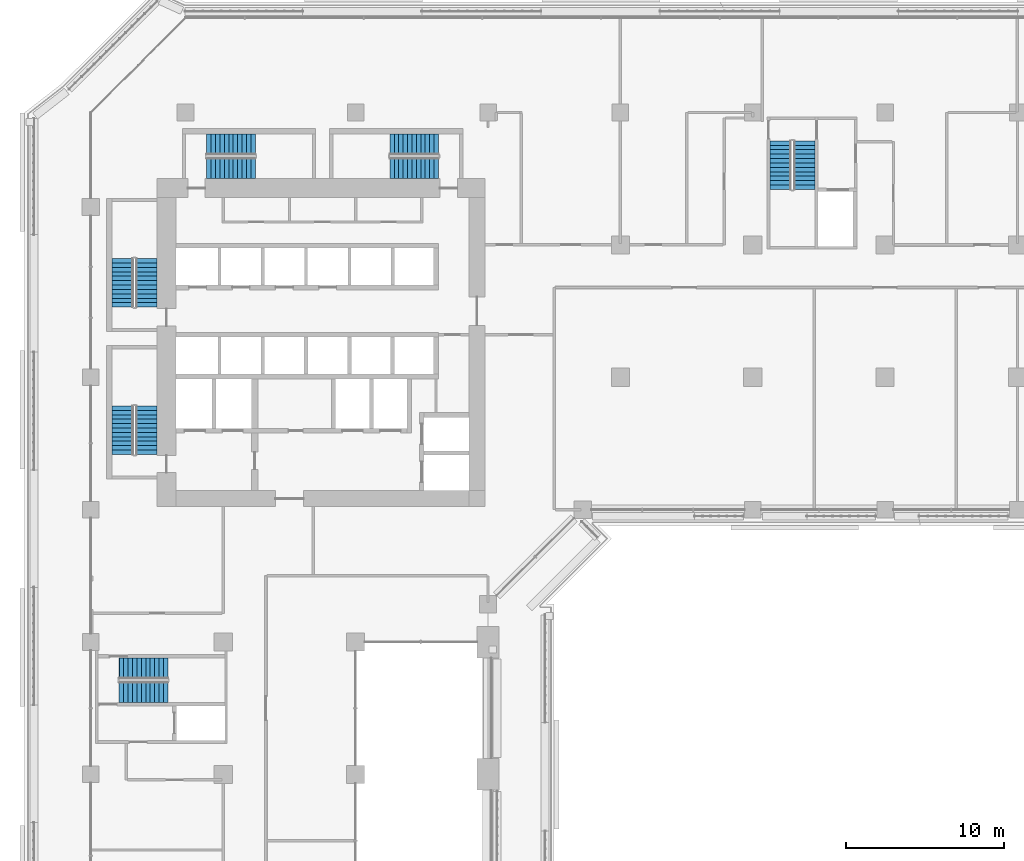
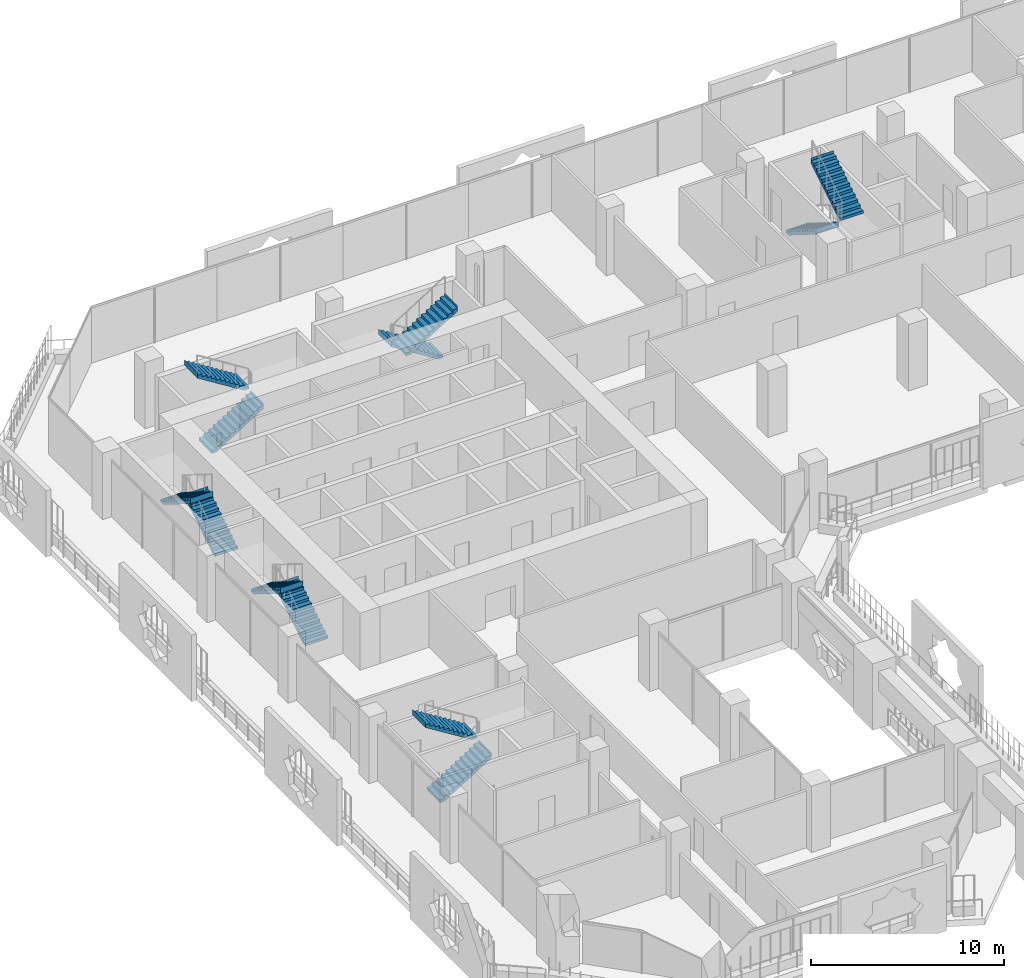
# One storey, part 18 of 27: 12 stair flights, 6 elements without a shape of their own.
"""IFC4 building model written with IfcOpenShell, lengths in metres."""

from ifc_helpers import new_model, si_unit, direction, frame, origin, place, context, subcontext, project, spatial, polyline, outline, extrude, material, type_object, element, aggregate, save


model = new_model("IFC4")

# Units and contexts
model_context = context("Model", 3, precision=1e-05, world=origin(), true_north=direction((0.0, 1.0)))
body_context = subcontext(model_context, "Body", "Model", "MODEL_VIEW")
ifc_project = project(units=[si_unit("LENGTHUNIT", "METRE"), si_unit("AREAUNIT", "SQUARE_METRE"), si_unit("VOLUMEUNIT", "CUBIC_METRE"), si_unit("PLANEANGLEUNIT", "RADIAN"), si_unit("MASSUNIT", "GRAM", prefix="KILO")], contexts=[model_context])

# Site, building, storey
site_placement = place(None, origin())
site = spatial("IfcSite", under=ifc_project, at=site_placement, CompositionType="ELEMENT")
building_placement = place(site_placement, origin())
building = spatial("IfcBuilding", under=site, at=building_placement, Name="Kawkab Arch Medical Tower", CompositionType="ELEMENT")
storey_placement = place(building_placement, frame((0.0, 0.0, 103.0)))
storey = spatial("IfcBuildingStorey", under=building, at=storey_placement, Name="L23", CompositionType="ELEMENT", Elevation=103.0)

# Stair, stair flights
ifc_material_1 = material(Name="Concrete C40/50", Category="concrete")
stair_type = type_object("IfcStairType", Name="Exit stair 1350", PredefinedType="HALF_TURN_STAIR", material=ifc_material_1)
placement = place(storey_placement, origin())
stair_1 = element("IfcStair", 1, at=placement, inside=storey, type_object=stair_type, Name="L23 Exit stair ST1", PredefinedType="HALF_TURN_STAIR")
ifc_material_2 = material(Name="Concrete C40/50", Category="concrete")
stair_flight_type = type_object("IfcStairFlightType", Name="Exit stair flight 1350", PredefinedType="STRAIGHT", material=ifc_material_2)
stair_flight_1_placement = place(storey_placement, frame((3.52490234375, -12.35009765625, 0.0), z_axis=(0.0, 0.0, 1.0), x_axis=(0.0, 1.0, 0.0)))
stair_flight_1 = element("IfcStairFlight", 2, at=stair_flight_1_placement, type_object=stair_flight_type, Name="ST1 flight 1", NumberOfRisers=12, NumberOfTreads=11, PredefinedType="STRAIGHT", RiserHeight=0.175, TreadLength=0.28, context=body_context, shape_type="SweptSolid", body=[
    extrude(outline(polyline([(-0.0029296875, 0.0), (-0.0029296875, 0.175048828125), (0.0, 0.175048828125), (0.280029296875, 0.175048828125), (0.280029296875, 0.35009765625), (0.56005859375, 0.35009765625), (0.56005859375, 0.52490234375), (0.840087890625, 0.52490234375), (0.840087890625, 0.699951171875), (1.1201171875, 0.699951171875), (1.1201171875, 0.875), (1.39990234375, 0.875), (1.39990234375, 1.050048828125), (1.679931640625, 1.050048828125), (1.679931640625, 1.22509765625), (1.9599609375, 1.22509765625), (1.9599609375, 1.39990234375), (2.239990234375, 1.39990234375), (2.239990234375, 1.574951171875), (2.52001953125, 1.574951171875), (2.52001953125, 1.75), (2.800048828125, 1.75), (2.800048828125, 1.925048828125), (3.080078125, 1.925048828125), (3.080078125, 2.10009765625), (3.0830078125, 2.10009765625), (3.0830078125, 1.748291015625), (3.080078125, 1.748291015625), (0.28271484375, 0.0), (-0.0029296875, 0.0)])), frame((0.0, 0.675048828125, 0.0), z_axis=(0.0, -1.0, 0.0), x_axis=(1.0, 0.0, 0.0)), (0.0, 0.0, 1.0), 1.35009765625),
])
stair_flight_2_placement = place(storey_placement, frame((2.02490234375, -9.27001953125, 2.10009765625), z_axis=(0.0, 0.0, 1.0), x_axis=(0.0, -1.0, 0.0)))
stair_flight_2 = element("IfcStairFlight", 3, at=stair_flight_2_placement, type_object=stair_flight_type, Name="ST1 flight 2", NumberOfRisers=12, NumberOfTreads=11, PredefinedType="STRAIGHT", RiserHeight=0.175, TreadLength=0.28, context=body_context, shape_type="SweptSolid", body=[
    extrude(outline(polyline([(-0.0029296875, 0.0), (-0.0029296875, 0.175048828125), (0.0, 0.175048828125), (0.280029296875, 0.175048828125), (0.280029296875, 0.35009765625), (0.56005859375, 0.35009765625), (0.56005859375, 0.52490234375), (0.840087890625, 0.52490234375), (0.840087890625, 0.699951171875), (1.1201171875, 0.699951171875), (1.1201171875, 0.875), (1.39990234375, 0.875), (1.39990234375, 1.050048828125), (1.679931640625, 1.050048828125), (1.679931640625, 1.22509765625), (1.9599609375, 1.22509765625), (1.9599609375, 1.39990234375), (2.239990234375, 1.39990234375), (2.239990234375, 1.574951171875), (2.52001953125, 1.574951171875), (2.52001953125, 1.75), (2.800048828125, 1.75), (2.800048828125, 1.925048828125), (3.080078125, 1.925048828125), (3.080078125, 2.10009765625), (3.0830078125, 2.10009765625), (3.0830078125, 1.748291015625), (3.080078125, 1.748291015625), (0.28271484375, 0.0), (-0.0029296875, 0.0)])), frame((0.0, 0.675048828125, 0.0), z_axis=(0.0, -1.0, 0.0), x_axis=(1.0, 0.0, 0.0)), (0.0, 0.0, 1.0), 1.35009765625),
])
aggregate(stair_1, [stair_flight_1, stair_flight_2])

stair_2 = element("IfcStair", 4, at=placement, inside=storey, type_object=stair_type, Name="L23 Exit stair ST2", PredefinedType="HALF_TURN_STAIR")
stair_flight_3_placement = place(storey_placement, frame((3.52490234375, -21.699951171875, 0.0), z_axis=(0.0, 0.0, 1.0), x_axis=(0.0, 1.0, 0.0)))
stair_flight_3 = element("IfcStairFlight", 5, at=stair_flight_3_placement, type_object=stair_flight_type, Name="ST2 flight 1", NumberOfRisers=12, NumberOfTreads=11, PredefinedType="STRAIGHT", RiserHeight=0.175, TreadLength=0.28, context=body_context, shape_type="SweptSolid", body=[
    extrude(outline(polyline([(-0.0029296875, 0.0), (-0.0029296875, 0.175048828125), (0.0, 0.175048828125), (0.280029296875, 0.175048828125), (0.280029296875, 0.35009765625), (0.56005859375, 0.35009765625), (0.56005859375, 0.52490234375), (0.840087890625, 0.52490234375), (0.840087890625, 0.699951171875), (1.1201171875, 0.699951171875), (1.1201171875, 0.875), (1.39990234375, 0.875), (1.39990234375, 1.050048828125), (1.679931640625, 1.050048828125), (1.679931640625, 1.22509765625), (1.9599609375, 1.22509765625), (1.9599609375, 1.39990234375), (2.239990234375, 1.39990234375), (2.239990234375, 1.574951171875), (2.52001953125, 1.574951171875), (2.52001953125, 1.75), (2.800048828125, 1.75), (2.800048828125, 1.925048828125), (3.080078125, 1.925048828125), (3.080078125, 2.10009765625), (3.0830078125, 2.10009765625), (3.0830078125, 1.748291015625), (3.080078125, 1.748291015625), (0.28271484375, 0.0), (-0.0029296875, 0.0)])), frame((0.0, 0.675048828125, 0.0), z_axis=(0.0, -1.0, 0.0), x_axis=(1.0, 0.0, 0.0)), (0.0, 0.0, 1.0), 1.35009765625),
])
stair_flight_4_placement = place(storey_placement, frame((2.02490234375, -18.6201171875, 2.10009765625), z_axis=(0.0, 0.0, 1.0), x_axis=(0.0, -1.0, 0.0)))
stair_flight_4 = element("IfcStairFlight", 6, at=stair_flight_4_placement, type_object=stair_flight_type, Name="ST2 flight 2", NumberOfRisers=12, NumberOfTreads=11, PredefinedType="STRAIGHT", RiserHeight=0.175, TreadLength=0.28, context=body_context, shape_type="SweptSolid", body=[
    extrude(outline(polyline([(-0.0029296875, 0.0), (-0.0029296875, 0.175048828125), (0.0, 0.175048828125), (0.280029296875, 0.175048828125), (0.280029296875, 0.35009765625), (0.56005859375, 0.35009765625), (0.56005859375, 0.52490234375), (0.840087890625, 0.52490234375), (0.840087890625, 0.699951171875), (1.1201171875, 0.699951171875), (1.1201171875, 0.875), (1.39990234375, 0.875), (1.39990234375, 1.050048828125), (1.679931640625, 1.050048828125), (1.679931640625, 1.22509765625), (1.9599609375, 1.22509765625), (1.9599609375, 1.39990234375), (2.239990234375, 1.39990234375), (2.239990234375, 1.574951171875), (2.52001953125, 1.574951171875), (2.52001953125, 1.75), (2.800048828125, 1.75), (2.800048828125, 1.925048828125), (3.080078125, 1.925048828125), (3.080078125, 2.10009765625), (3.0830078125, 2.10009765625), (3.0830078125, 1.748291015625), (3.080078125, 1.748291015625), (0.28271484375, 0.0), (-0.0029296875, 0.0)])), frame((0.0, 0.675048828125, 0.0), z_axis=(0.0, -1.0, 0.0), x_axis=(1.0, 0.0, 0.0)), (0.0, 0.0, 1.0), 1.35009765625),
])
aggregate(stair_2, [stair_flight_3, stair_flight_4])

stair_3 = element("IfcStair", 7, at=placement, inside=storey, type_object=stair_type, Name="L23 Exit stair ST3", PredefinedType="HALF_TURN_STAIR")
stair_flight_5_placement = place(storey_placement, frame((7.35009765625, -3.52490234375, 0.0), z_axis=(0.0, 0.0, 1.0), x_axis=(1.0, 0.0, 0.0)))
stair_flight_5 = element("IfcStairFlight", 8, at=stair_flight_5_placement, type_object=stair_flight_type, Name="ST3 flight 1", NumberOfRisers=12, NumberOfTreads=11, PredefinedType="STRAIGHT", RiserHeight=0.175, TreadLength=0.28, context=body_context, shape_type="SweptSolid", body=[
    extrude(outline(polyline([(-0.0029296875, 0.0), (-0.0029296875, 0.175048828125), (0.0, 0.175048828125), (0.280029296875, 0.175048828125), (0.280029296875, 0.35009765625), (0.56005859375, 0.35009765625), (0.56005859375, 0.52490234375), (0.840087890625, 0.52490234375), (0.840087890625, 0.699951171875), (1.1201171875, 0.699951171875), (1.1201171875, 0.875), (1.39990234375, 0.875), (1.39990234375, 1.050048828125), (1.679931640625, 1.050048828125), (1.679931640625, 1.22509765625), (1.9599609375, 1.22509765625), (1.9599609375, 1.39990234375), (2.239990234375, 1.39990234375), (2.239990234375, 1.574951171875), (2.52001953125, 1.574951171875), (2.52001953125, 1.75), (2.800048828125, 1.75), (2.800048828125, 1.925048828125), (3.080078125, 1.925048828125), (3.080078125, 2.10009765625), (3.0830078125, 2.10009765625), (3.0830078125, 1.748291015625), (3.080078125, 1.748291015625), (0.28271484375, 0.0), (-0.0029296875, 0.0)])), frame((0.0, 0.675048828125, 0.0), z_axis=(0.0, -1.0, 0.0), x_axis=(1.0, 0.0, 0.0)), (0.0, 0.0, 1.0), 1.35009765625),
])
stair_flight_6_placement = place(storey_placement, frame((10.429931640625, -2.02490234375, 2.10009765625), z_axis=(0.0, 0.0, 1.0), x_axis=(-1.0, 0.0, 0.0)))
stair_flight_6 = element("IfcStairFlight", 9, at=stair_flight_6_placement, type_object=stair_flight_type, Name="ST3 flight 2", NumberOfRisers=12, NumberOfTreads=11, PredefinedType="STRAIGHT", RiserHeight=0.175, TreadLength=0.28, context=body_context, shape_type="SweptSolid", body=[
    extrude(outline(polyline([(-0.0029296875, 0.0), (-0.0029296875, 0.175048828125), (0.0, 0.175048828125), (0.280029296875, 0.175048828125), (0.280029296875, 0.35009765625), (0.56005859375, 0.35009765625), (0.56005859375, 0.52490234375), (0.840087890625, 0.52490234375), (0.840087890625, 0.699951171875), (1.1201171875, 0.699951171875), (1.1201171875, 0.875), (1.39990234375, 0.875), (1.39990234375, 1.050048828125), (1.679931640625, 1.050048828125), (1.679931640625, 1.22509765625), (1.9599609375, 1.22509765625), (1.9599609375, 1.39990234375), (2.239990234375, 1.39990234375), (2.239990234375, 1.574951171875), (2.52001953125, 1.574951171875), (2.52001953125, 1.75), (2.800048828125, 1.75), (2.800048828125, 1.925048828125), (3.080078125, 1.925048828125), (3.080078125, 2.10009765625), (3.0830078125, 2.10009765625), (3.0830078125, 1.748291015625), (3.080078125, 1.748291015625), (0.28271484375, 0.0), (-0.0029296875, 0.0)])), frame((0.0, 0.675048828125, 0.0), z_axis=(0.0, -1.0, 0.0), x_axis=(1.0, 0.0, 0.0)), (0.0, 0.0, 1.0), 1.35009765625),
])
aggregate(stair_3, [stair_flight_5, stair_flight_6])

stair_4 = element("IfcStair", 10, at=placement, inside=storey, type_object=stair_type, Name="L23 Exit stair ST4", PredefinedType="HALF_TURN_STAIR")
stair_flight_7_placement = place(storey_placement, frame((22.050048828125, -2.02490234375, 0.0), z_axis=(0.0, 0.0, 1.0), x_axis=(-1.0, 0.0, 0.0)))
stair_flight_7 = element("IfcStairFlight", 11, at=stair_flight_7_placement, type_object=stair_flight_type, Name="ST4 flight 1", NumberOfRisers=12, NumberOfTreads=11, PredefinedType="STRAIGHT", RiserHeight=0.175, TreadLength=0.28, context=body_context, shape_type="SweptSolid", body=[
    extrude(outline(polyline([(-0.0029296875, 0.0), (-0.0029296875, 0.175048828125), (0.0, 0.175048828125), (0.280029296875, 0.175048828125), (0.280029296875, 0.35009765625), (0.56005859375, 0.35009765625), (0.56005859375, 0.52490234375), (0.840087890625, 0.52490234375), (0.840087890625, 0.699951171875), (1.1201171875, 0.699951171875), (1.1201171875, 0.875), (1.39990234375, 0.875), (1.39990234375, 1.050048828125), (1.679931640625, 1.050048828125), (1.679931640625, 1.22509765625), (1.9599609375, 1.22509765625), (1.9599609375, 1.39990234375), (2.239990234375, 1.39990234375), (2.239990234375, 1.574951171875), (2.52001953125, 1.574951171875), (2.52001953125, 1.75), (2.800048828125, 1.75), (2.800048828125, 1.925048828125), (3.080078125, 1.925048828125), (3.080078125, 2.10009765625), (3.0830078125, 2.10009765625), (3.0830078125, 1.748291015625), (3.080078125, 1.748291015625), (0.28271484375, 0.0), (-0.0029296875, 0.0)])), frame((0.0, 0.675048828125, 0.0), z_axis=(0.0, -1.0, 0.0), x_axis=(1.0, 0.0, 0.0)), (0.0, 0.0, 1.0), 1.35009765625),
])
stair_flight_8_placement = place(storey_placement, frame((18.969970703125, -3.52490234375, 2.10009765625), z_axis=(0.0, 0.0, 1.0), x_axis=(1.0, 0.0, 0.0)))
stair_flight_8 = element("IfcStairFlight", 12, at=stair_flight_8_placement, type_object=stair_flight_type, Name="ST4 flight 2", NumberOfRisers=12, NumberOfTreads=11, PredefinedType="STRAIGHT", RiserHeight=0.175, TreadLength=0.28, context=body_context, shape_type="SweptSolid", body=[
    extrude(outline(polyline([(-0.0029296875, 0.0), (-0.0029296875, 0.175048828125), (0.0, 0.175048828125), (0.280029296875, 0.175048828125), (0.280029296875, 0.35009765625), (0.56005859375, 0.35009765625), (0.56005859375, 0.52490234375), (0.840087890625, 0.52490234375), (0.840087890625, 0.699951171875), (1.1201171875, 0.699951171875), (1.1201171875, 0.875), (1.39990234375, 0.875), (1.39990234375, 1.050048828125), (1.679931640625, 1.050048828125), (1.679931640625, 1.22509765625), (1.9599609375, 1.22509765625), (1.9599609375, 1.39990234375), (2.239990234375, 1.39990234375), (2.239990234375, 1.574951171875), (2.52001953125, 1.574951171875), (2.52001953125, 1.75), (2.800048828125, 1.75), (2.800048828125, 1.925048828125), (3.080078125, 1.925048828125), (3.080078125, 2.10009765625), (3.0830078125, 2.10009765625), (3.0830078125, 1.748291015625), (3.080078125, 1.748291015625), (0.28271484375, 0.0), (-0.0029296875, 0.0)])), frame((0.0, 0.675048828125, 0.0), z_axis=(0.0, -1.0, 0.0), x_axis=(1.0, 0.0, 0.0)), (0.0, 0.0, 1.0), 1.35009765625),
])
aggregate(stair_4, [stair_flight_7, stair_flight_8])

stair_5 = element("IfcStair", 13, at=placement, inside=storey, type_object=stair_type, Name="L23 Exit stair ST5", PredefinedType="HALF_TURN_STAIR")
stair_flight_9_placement = place(storey_placement, frame((43.77490234375, -1.800048828125, 0.0), z_axis=(0.0, 0.0, 1.0), x_axis=(0.0, -1.0, 0.0)))
stair_flight_9 = element("IfcStairFlight", 14, at=stair_flight_9_placement, type_object=stair_flight_type, Name="ST5 flight 1", NumberOfRisers=12, NumberOfTreads=11, PredefinedType="STRAIGHT", RiserHeight=0.175, TreadLength=0.28, context=body_context, shape_type="SweptSolid", body=[
    extrude(outline(polyline([(-0.0029296875, 0.0), (-0.0029296875, 0.175048828125), (0.0, 0.175048828125), (0.280029296875, 0.175048828125), (0.280029296875, 0.35009765625), (0.56005859375, 0.35009765625), (0.56005859375, 0.52490234375), (0.840087890625, 0.52490234375), (0.840087890625, 0.699951171875), (1.1201171875, 0.699951171875), (1.1201171875, 0.875), (1.39990234375, 0.875), (1.39990234375, 1.050048828125), (1.679931640625, 1.050048828125), (1.679931640625, 1.22509765625), (1.9599609375, 1.22509765625), (1.9599609375, 1.39990234375), (2.239990234375, 1.39990234375), (2.239990234375, 1.574951171875), (2.52001953125, 1.574951171875), (2.52001953125, 1.75), (2.800048828125, 1.75), (2.800048828125, 1.925048828125), (3.080078125, 1.925048828125), (3.080078125, 2.10009765625), (3.0830078125, 2.10009765625), (3.0830078125, 1.748291015625), (3.080078125, 1.748291015625), (0.28271484375, 0.0), (-0.0029296875, 0.0)])), frame((0.0, 0.675048828125, 0.0), z_axis=(0.0, -1.0, 0.0), x_axis=(1.0, 0.0, 0.0)), (0.0, 0.0, 1.0), 1.35009765625),
])
stair_flight_10_placement = place(storey_placement, frame((45.27490234375, -4.8798828125, 2.10009765625), z_axis=(0.0, 0.0, 1.0), x_axis=(0.0, 1.0, 0.0)))
stair_flight_10 = element("IfcStairFlight", 15, at=stair_flight_10_placement, type_object=stair_flight_type, Name="ST5 flight 2", NumberOfRisers=12, NumberOfTreads=11, PredefinedType="STRAIGHT", RiserHeight=0.175, TreadLength=0.28, context=body_context, shape_type="SweptSolid", body=[
    extrude(outline(polyline([(-0.0029296875, 0.0), (-0.0029296875, 0.175048828125), (0.0, 0.175048828125), (0.280029296875, 0.175048828125), (0.280029296875, 0.35009765625), (0.56005859375, 0.35009765625), (0.56005859375, 0.52490234375), (0.840087890625, 0.52490234375), (0.840087890625, 0.699951171875), (1.1201171875, 0.699951171875), (1.1201171875, 0.875), (1.39990234375, 0.875), (1.39990234375, 1.050048828125), (1.679931640625, 1.050048828125), (1.679931640625, 1.22509765625), (1.9599609375, 1.22509765625), (1.9599609375, 1.39990234375), (2.239990234375, 1.39990234375), (2.239990234375, 1.574951171875), (2.52001953125, 1.574951171875), (2.52001953125, 1.75), (2.800048828125, 1.75), (2.800048828125, 1.925048828125), (3.080078125, 1.925048828125), (3.080078125, 2.10009765625), (3.0830078125, 2.10009765625), (3.0830078125, 1.748291015625), (3.080078125, 1.748291015625), (0.28271484375, 0.0), (-0.0029296875, 0.0)])), frame((0.0, 0.675048828125, 0.0), z_axis=(0.0, -1.0, 0.0), x_axis=(1.0, 0.0, 0.0)), (0.0, 0.0, 1.0), 1.35009765625),
])
aggregate(stair_5, [stair_flight_9, stair_flight_10])

stair_6 = element("IfcStair", 16, at=placement, inside=storey, type_object=stair_type, Name="L23 Exit stair ST6", PredefinedType="HALF_TURN_STAIR")
stair_flight_11_placement = place(storey_placement, frame((1.800048828125, -36.77490234375, 0.0), z_axis=(0.0, 0.0, 1.0), x_axis=(1.0, 0.0, 0.0)))
stair_flight_11 = element("IfcStairFlight", 17, at=stair_flight_11_placement, type_object=stair_flight_type, Name="ST6 flight 1", NumberOfRisers=12, NumberOfTreads=11, PredefinedType="STRAIGHT", RiserHeight=0.175, TreadLength=0.28, context=body_context, shape_type="SweptSolid", body=[
    extrude(outline(polyline([(-0.0029296875, 0.0), (-0.0029296875, 0.175048828125), (0.0, 0.175048828125), (0.280029296875, 0.175048828125), (0.280029296875, 0.35009765625), (0.56005859375, 0.35009765625), (0.56005859375, 0.52490234375), (0.840087890625, 0.52490234375), (0.840087890625, 0.699951171875), (1.1201171875, 0.699951171875), (1.1201171875, 0.875), (1.39990234375, 0.875), (1.39990234375, 1.050048828125), (1.679931640625, 1.050048828125), (1.679931640625, 1.22509765625), (1.9599609375, 1.22509765625), (1.9599609375, 1.39990234375), (2.239990234375, 1.39990234375), (2.239990234375, 1.574951171875), (2.52001953125, 1.574951171875), (2.52001953125, 1.75), (2.800048828125, 1.75), (2.800048828125, 1.925048828125), (3.080078125, 1.925048828125), (3.080078125, 2.10009765625), (3.0830078125, 2.10009765625), (3.0830078125, 1.748291015625), (3.080078125, 1.748291015625), (0.28271484375, 0.0), (-0.0029296875, 0.0)])), frame((0.0, 0.675048828125, 0.0), z_axis=(0.0, -1.0, 0.0), x_axis=(1.0, 0.0, 0.0)), (0.0, 0.0, 1.0), 1.35009765625),
])
stair_flight_12_placement = place(storey_placement, frame((4.8798828125, -35.27490234375, 2.10009765625), z_axis=(0.0, 0.0, 1.0), x_axis=(-1.0, 0.0, 0.0)))
stair_flight_12 = element("IfcStairFlight", 18, at=stair_flight_12_placement, type_object=stair_flight_type, Name="ST6 flight 2", NumberOfRisers=12, NumberOfTreads=11, PredefinedType="STRAIGHT", RiserHeight=0.175, TreadLength=0.28, context=body_context, shape_type="SweptSolid", body=[
    extrude(outline(polyline([(-0.0029296875, 0.0), (-0.0029296875, 0.175048828125), (0.0, 0.175048828125), (0.280029296875, 0.175048828125), (0.280029296875, 0.35009765625), (0.56005859375, 0.35009765625), (0.56005859375, 0.52490234375), (0.840087890625, 0.52490234375), (0.840087890625, 0.699951171875), (1.1201171875, 0.699951171875), (1.1201171875, 0.875), (1.39990234375, 0.875), (1.39990234375, 1.050048828125), (1.679931640625, 1.050048828125), (1.679931640625, 1.22509765625), (1.9599609375, 1.22509765625), (1.9599609375, 1.39990234375), (2.239990234375, 1.39990234375), (2.239990234375, 1.574951171875), (2.52001953125, 1.574951171875), (2.52001953125, 1.75), (2.800048828125, 1.75), (2.800048828125, 1.925048828125), (3.080078125, 1.925048828125), (3.080078125, 2.10009765625), (3.0830078125, 2.10009765625), (3.0830078125, 1.748291015625), (3.080078125, 1.748291015625), (0.28271484375, 0.0), (-0.0029296875, 0.0)])), frame((0.0, 0.675048828125, 0.0), z_axis=(0.0, -1.0, 0.0), x_axis=(1.0, 0.0, 0.0)), (0.0, 0.0, 1.0), 1.35009765625),
])
aggregate(stair_6, [stair_flight_11, stair_flight_12])

save(model, "model.ifc")
